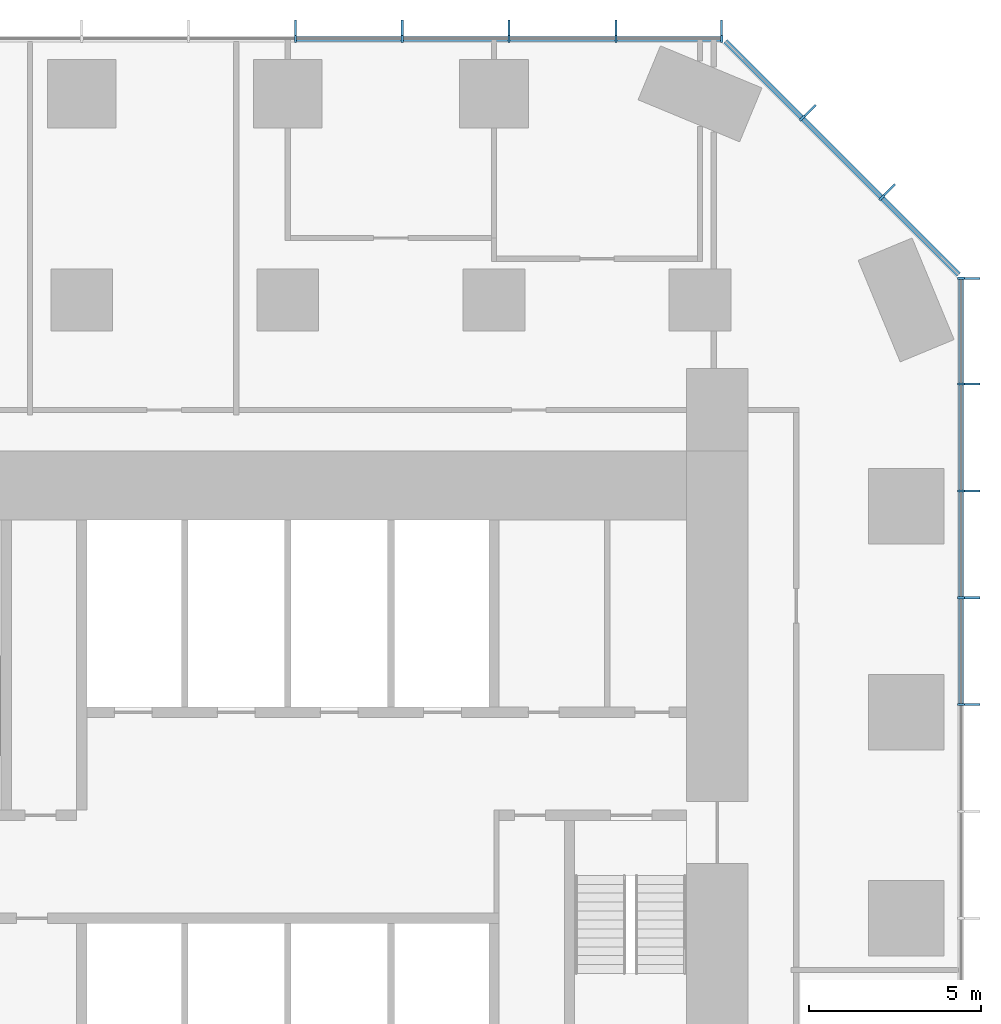
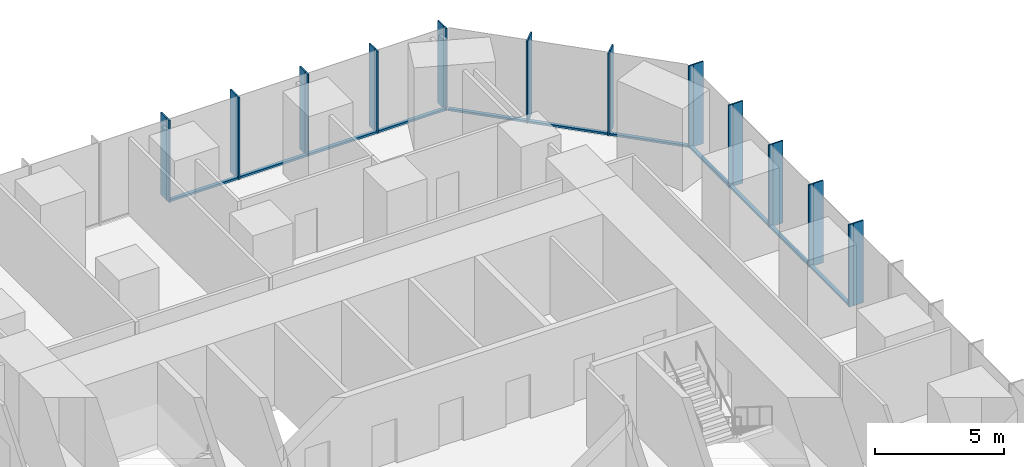
# One storey, part 6 of 12: 35 members, 3 elements without a shape of their own.
"""IFC4 building model written with IfcOpenShell, lengths in metres."""

from ifc_helpers import new_model, si_unit, direction, frame, origin, origin_2d, place, context, subcontext, project, spatial, rectangle, extrude, material, layer, layer_set, material_profile, profile_set, type_object, element, aggregate, save


model = new_model("IFC4")

# Units and contexts
model_context = context("Model", 3, precision=1e-05, world=origin(), true_north=direction((0.0, 1.0)))
body_context = subcontext(model_context, "Body", "Model", "MODEL_VIEW")
ifc_project = project(units=[si_unit("LENGTHUNIT", "METRE"), si_unit("AREAUNIT", "SQUARE_METRE"), si_unit("VOLUMEUNIT", "CUBIC_METRE"), si_unit("PLANEANGLEUNIT", "RADIAN"), si_unit("MASSUNIT", "GRAM", prefix="KILO")], contexts=[model_context])

# Site, building, storey
site_placement = place(None, origin())
site = spatial("IfcSite", under=ifc_project, at=site_placement, CompositionType="ELEMENT")
building_placement = place(site_placement, origin())
building = spatial("IfcBuilding", under=site, at=building_placement, Name="Highveld Stack Headquarters", CompositionType="ELEMENT")
storey_placement = place(building_placement, frame((0.0, 0.0, 26.0)))
storey = spatial("IfcBuildingStorey", under=building, at=storey_placement, Name="L05", CompositionType="ELEMENT", Elevation=26.0)

# Curtain wall, members
ifc_material_1 = material(Name="Aluminium bronze anodised", Category="aluminium")
ifc_layer_1 = layer(ifc_material_1, 0.199951171875)
ifc_layer_set_1 = layer_set([ifc_layer_1], Name="Aluminium bronze anodised")
curtain_wall_type_1 = type_object("IfcCurtainWallType", Name="CW1 TOWER UNITISED CURTAIN WALL", PredefinedType="NOTDEFINED", material=ifc_layer_set_1)
curtain_wall_1_placement = place(storey_placement, origin())
curtain_wall_1 = element("IfcCurtainWall", 1, at=curtain_wall_1_placement, inside=storey, type_object=curtain_wall_type_1, Name="Curtain wall CW1 L05 E", PredefinedType="NOTDEFINED")
ifc_material_2 = material(Name="Aluminium bronze anodised", Category="aluminium")
ifc_material_profile_1 = material_profile(ifc_material_2, rectangle(XDim=0.449951171875, YDim=0.06005859375, at=origin_2d()), Name="FIN 450x60")
ifc_profile_set_1 = profile_set([ifc_material_profile_1], Name="Aluminium bronze anodised")
member_type_1 = type_object("IfcMemberType", Name="CW1 BRONZE FIN 450x60", PredefinedType="USERDEFINED", material=ifc_profile_set_1)
member_1_placement = place(storey_placement, frame((25.925048828125, 6.220947265625, 0.0), z_axis=(0.0, 0.0, 1.0), x_axis=(-1.0, 0.0, 0.0)))
member_1 = element("IfcMember", 2, at=member_1_placement, type_object=member_type_1, Name="CW1 fin L05 9", ObjectType="FIN", PredefinedType="USERDEFINED", context=body_context, shape_type="SweptSolid", body=[
    extrude(rectangle(XDim=0.449951171875, YDim=0.06005859375, at=origin_2d()), origin(), (0.0, 0.0, 1.0), 3.89990234375),
])
member_2_placement = place(storey_placement, frame((25.925048828125, 9.331298828125, 0.0), z_axis=(0.0, 0.0, 1.0), x_axis=(-1.0, 0.0, 0.0)))
member_2 = element("IfcMember", 3, at=member_2_placement, type_object=member_type_1, Name="CW1 fin L05 10", ObjectType="FIN", PredefinedType="USERDEFINED", context=body_context, shape_type="SweptSolid", body=[
    extrude(rectangle(XDim=0.449951171875, YDim=0.06005859375, at=origin_2d()), origin(), (0.0, 0.0, 1.0), 3.89990234375),
])
member_3_placement = place(storey_placement, frame((25.925048828125, 12.44189453125, 0.0), z_axis=(0.0, 0.0, 1.0), x_axis=(-1.0, 0.0, 0.0)))
member_3 = element("IfcMember", 4, at=member_3_placement, type_object=member_type_1, Name="CW1 fin L05 11", ObjectType="FIN", PredefinedType="USERDEFINED", context=body_context, shape_type="SweptSolid", body=[
    extrude(rectangle(XDim=0.449951171875, YDim=0.06005859375, at=origin_2d()), origin(), (0.0, 0.0, 1.0), 3.89990234375),
])
member_4_placement = place(storey_placement, frame((25.925048828125, 15.55224609375, 0.0), z_axis=(0.0, 0.0, 1.0), x_axis=(-1.0, 0.0, 0.0)))
member_4 = element("IfcMember", 5, at=member_4_placement, type_object=member_type_1, Name="CW1 fin L05 12", ObjectType="FIN", PredefinedType="USERDEFINED", context=body_context, shape_type="SweptSolid", body=[
    extrude(rectangle(XDim=0.449951171875, YDim=0.06005859375, at=origin_2d()), origin(), (0.0, 0.0, 1.0), 3.89990234375),
])
member_5_placement = place(storey_placement, frame((25.925048828125, 18.630126953125, 0.0), z_axis=(0.0, 0.0, 1.0), x_axis=(-1.0, 0.0, 0.0)))
member_5 = element("IfcMember", 6, at=member_5_placement, type_object=member_type_1, Name="CW1 fin L05 13", ObjectType="FIN", PredefinedType="USERDEFINED", context=body_context, shape_type="SweptSolid", body=[
    extrude(rectangle(XDim=0.449951171875, YDim=0.06005859375, at=origin_2d()), origin(), (0.0, 0.0, 1.0), 3.89990234375),
])

curtain_wall_2_placement = place(storey_placement, origin())
curtain_wall_2 = element("IfcCurtainWall", 7, at=curtain_wall_2_placement, inside=storey, type_object=curtain_wall_type_1, Name="Curtain wall CW1 L05 N", PredefinedType="NOTDEFINED")
member_6_placement = place(storey_placement, frame((18.630126953125, 25.925048828125, 0.0), z_axis=(0.0, 0.0, 1.0), x_axis=(0.0, -1.0, 0.0)))
member_6 = element("IfcMember", 8, at=member_6_placement, type_object=member_type_1, Name="CW1 fin L05 1", ObjectType="FIN", PredefinedType="USERDEFINED", context=body_context, shape_type="SweptSolid", body=[
    extrude(rectangle(XDim=0.449951171875, YDim=0.06005859375, at=origin_2d()), origin(), (0.0, 0.0, 1.0), 3.89990234375),
])
member_7_placement = place(storey_placement, frame((15.55224609375, 25.925048828125, 0.0), z_axis=(0.0, 0.0, 1.0), x_axis=(0.0, -1.0, 0.0)))
member_7 = element("IfcMember", 9, at=member_7_placement, type_object=member_type_1, Name="CW1 fin L05 2", ObjectType="FIN", PredefinedType="USERDEFINED", context=body_context, shape_type="SweptSolid", body=[
    extrude(rectangle(XDim=0.449951171875, YDim=0.06005859375, at=origin_2d()), origin(), (0.0, 0.0, 1.0), 3.89990234375),
])
member_8_placement = place(storey_placement, frame((12.44189453125, 25.925048828125, 0.0), z_axis=(0.0, 0.0, 1.0), x_axis=(0.0, -1.0, 0.0)))
member_8 = element("IfcMember", 10, at=member_8_placement, type_object=member_type_1, Name="CW1 fin L05 3", ObjectType="FIN", PredefinedType="USERDEFINED", context=body_context, shape_type="SweptSolid", body=[
    extrude(rectangle(XDim=0.449951171875, YDim=0.06005859375, at=origin_2d()), origin(), (0.0, 0.0, 1.0), 3.89990234375),
])
member_9_placement = place(storey_placement, frame((9.331298828125, 25.925048828125, 0.0), z_axis=(0.0, 0.0, 1.0), x_axis=(0.0, -1.0, 0.0)))
member_9 = element("IfcMember", 11, at=member_9_placement, type_object=member_type_1, Name="CW1 fin L05 4", ObjectType="FIN", PredefinedType="USERDEFINED", context=body_context, shape_type="SweptSolid", body=[
    extrude(rectangle(XDim=0.449951171875, YDim=0.06005859375, at=origin_2d()), origin(), (0.0, 0.0, 1.0), 3.89990234375),
])
member_10_placement = place(storey_placement, frame((6.220947265625, 25.925048828125, 0.0), z_axis=(0.0, 0.0, 1.0), x_axis=(0.0, -1.0, 0.0)))
member_10 = element("IfcMember", 12, at=member_10_placement, type_object=member_type_1, Name="CW1 fin L05 5", ObjectType="FIN", PredefinedType="USERDEFINED", context=body_context, shape_type="SweptSolid", body=[
    extrude(rectangle(XDim=0.449951171875, YDim=0.06005859375, at=origin_2d()), origin(), (0.0, 0.0, 1.0), 3.89990234375),
])

# Member
ifc_material_3 = material(Name="Aluminium bronze anodised", Category="aluminium")
ifc_material_profile_2 = material_profile(ifc_material_3, rectangle(XDim=0.199951171875, YDim=0.06494140625, at=origin_2d()), Name="CW1 MULLION 65x200")
ifc_profile_set_2 = profile_set([ifc_material_profile_2], Name="Aluminium bronze anodised")
member_type_2 = type_object("IfcMemberType", Name="CW1 MULLION 65x200", PredefinedType="MULLION", material=ifc_profile_set_2)
member_11_placement = place(storey_placement, frame((25.60009765625, 6.220947265625, 0.0), z_axis=(0.0, 0.0, 1.0), x_axis=(-1.0, 0.0, 0.0)))
member_11 = element("IfcMember", 13, at=member_11_placement, type_object=member_type_2, Name="CW1 mullion L05 9", PredefinedType="MULLION", context=body_context, shape_type="SweptSolid", body=[
    extrude(rectangle(XDim=0.199951171875, YDim=0.06494140625, at=origin_2d()), origin(), (0.0, 0.0, 1.0), 3.89990234375),
])

member_12_placement = place(storey_placement, frame((25.60009765625, 9.331298828125, 0.0), z_axis=(0.0, 0.0, 1.0), x_axis=(-1.0, 0.0, 0.0)))
member_12 = element("IfcMember", 14, at=member_12_placement, type_object=member_type_2, Name="CW1 mullion L05 10", PredefinedType="MULLION", context=body_context, shape_type="SweptSolid", body=[
    extrude(rectangle(XDim=0.199951171875, YDim=0.06494140625, at=origin_2d()), origin(), (0.0, 0.0, 1.0), 3.89990234375),
])

member_13_placement = place(storey_placement, frame((25.60009765625, 12.44189453125, 0.0), z_axis=(0.0, 0.0, 1.0), x_axis=(-1.0, 0.0, 0.0)))
member_13 = element("IfcMember", 15, at=member_13_placement, type_object=member_type_2, Name="CW1 mullion L05 11", PredefinedType="MULLION", context=body_context, shape_type="SweptSolid", body=[
    extrude(rectangle(XDim=0.199951171875, YDim=0.06494140625, at=origin_2d()), origin(), (0.0, 0.0, 1.0), 3.89990234375),
])

member_14_placement = place(storey_placement, frame((25.60009765625, 15.55224609375, 0.0), z_axis=(0.0, 0.0, 1.0), x_axis=(-1.0, 0.0, 0.0)))
member_14 = element("IfcMember", 16, at=member_14_placement, type_object=member_type_2, Name="CW1 mullion L05 12", PredefinedType="MULLION", context=body_context, shape_type="SweptSolid", body=[
    extrude(rectangle(XDim=0.199951171875, YDim=0.06494140625, at=origin_2d()), origin(), (0.0, 0.0, 1.0), 3.89990234375),
])

member_15_placement = place(storey_placement, frame((25.60009765625, 18.630126953125, 0.0), z_axis=(0.0, 0.0, 1.0), x_axis=(-1.0, 0.0, 0.0)))
member_15 = element("IfcMember", 17, at=member_15_placement, type_object=member_type_2, Name="CW1 mullion L05 13", PredefinedType="MULLION", context=body_context, shape_type="SweptSolid", body=[
    extrude(rectangle(XDim=0.199951171875, YDim=0.06494140625, at=origin_2d()), origin(), (0.0, 0.0, 1.0), 3.89990234375),
])

member_16_placement = place(storey_placement, frame((18.630126953125, 25.60009765625, 0.0), z_axis=(0.0, 0.0, 1.0), x_axis=(0.0, -1.0, 0.0)))
member_16 = element("IfcMember", 18, at=member_16_placement, type_object=member_type_2, Name="CW1 mullion L05 1", PredefinedType="MULLION", context=body_context, shape_type="SweptSolid", body=[
    extrude(rectangle(XDim=0.199951171875, YDim=0.06494140625, at=origin_2d()), origin(), (0.0, 0.0, 1.0), 3.89990234375),
])

member_17_placement = place(storey_placement, frame((15.55224609375, 25.60009765625, 0.0), z_axis=(0.0, 0.0, 1.0), x_axis=(0.0, -1.0, 0.0)))
member_17 = element("IfcMember", 19, at=member_17_placement, type_object=member_type_2, Name="CW1 mullion L05 2", PredefinedType="MULLION", context=body_context, shape_type="SweptSolid", body=[
    extrude(rectangle(XDim=0.199951171875, YDim=0.06494140625, at=origin_2d()), origin(), (0.0, 0.0, 1.0), 3.89990234375),
])

member_18_placement = place(storey_placement, frame((12.44189453125, 25.60009765625, 0.0), z_axis=(0.0, 0.0, 1.0), x_axis=(0.0, -1.0, 0.0)))
member_18 = element("IfcMember", 20, at=member_18_placement, type_object=member_type_2, Name="CW1 mullion L05 3", PredefinedType="MULLION", context=body_context, shape_type="SweptSolid", body=[
    extrude(rectangle(XDim=0.199951171875, YDim=0.06494140625, at=origin_2d()), origin(), (0.0, 0.0, 1.0), 3.89990234375),
])

member_19_placement = place(storey_placement, frame((9.331298828125, 25.60009765625, 0.0), z_axis=(0.0, 0.0, 1.0), x_axis=(0.0, -1.0, 0.0)))
member_19 = element("IfcMember", 21, at=member_19_placement, type_object=member_type_2, Name="CW1 mullion L05 4", PredefinedType="MULLION", context=body_context, shape_type="SweptSolid", body=[
    extrude(rectangle(XDim=0.199951171875, YDim=0.06494140625, at=origin_2d()), origin(), (0.0, 0.0, 1.0), 3.89990234375),
])

member_20_placement = place(storey_placement, frame((6.220947265625, 25.60009765625, 0.0), z_axis=(0.0, 0.0, 1.0), x_axis=(0.0, -1.0, 0.0)))
member_20 = element("IfcMember", 22, at=member_20_placement, type_object=member_type_2, Name="CW1 mullion L05 5", PredefinedType="MULLION", context=body_context, shape_type="SweptSolid", body=[
    extrude(rectangle(XDim=0.199951171875, YDim=0.06494140625, at=origin_2d()), origin(), (0.0, 0.0, 1.0), 3.89990234375),
])

ifc_material_4 = material(Name="Aluminium bronze anodised", Category="aluminium")
ifc_material_profile_3 = material_profile(ifc_material_4, rectangle(XDim=0.14990234375, YDim=0.10009765625, at=origin_2d()), Name="CW1 TRANSOM 150x100")
ifc_profile_set_3 = profile_set([ifc_material_profile_3], Name="Aluminium bronze anodised")
member_type_3 = type_object("IfcMemberType", Name="CW1 STACK TRANSOM 150x100", PredefinedType="USERDEFINED", material=ifc_profile_set_3)
member_21_placement = place(storey_placement, frame((25.60009765625, 6.25341796875, 0.050048828125), z_axis=(0.0, 1.0, 0.0), x_axis=(-1.0, 0.0, 0.0)))
member_21 = element("IfcMember", 23, at=member_21_placement, type_object=member_type_3, Name="CW1 transom L05 9.1", ObjectType="TRANSOM", PredefinedType="USERDEFINED", context=body_context, shape_type="SweptSolid", body=[
    extrude(rectangle(XDim=0.14990234375, YDim=0.10009765625, at=origin_2d()), origin(), (0.0, 0.0, 1.0), 3.04541015625),
])

member_22_placement = place(storey_placement, frame((25.60009765625, 9.36376953125, 0.050048828125), z_axis=(0.0, 1.0, 0.0), x_axis=(-1.0, 0.0, 0.0)))
member_22 = element("IfcMember", 24, at=member_22_placement, type_object=member_type_3, Name="CW1 transom L05 10.1", ObjectType="TRANSOM", PredefinedType="USERDEFINED", context=body_context, shape_type="SweptSolid", body=[
    extrude(rectangle(XDim=0.14990234375, YDim=0.10009765625, at=origin_2d()), origin(), (0.0, 0.0, 1.0), 3.04541015625),
])

member_23_placement = place(storey_placement, frame((25.60009765625, 12.474365234375, 0.050048828125), z_axis=(0.0, 1.0, 0.0), x_axis=(-1.0, 0.0, 0.0)))
member_23 = element("IfcMember", 25, at=member_23_placement, type_object=member_type_3, Name="CW1 transom L05 11.1", ObjectType="TRANSOM", PredefinedType="USERDEFINED", context=body_context, shape_type="SweptSolid", body=[
    extrude(rectangle(XDim=0.14990234375, YDim=0.10009765625, at=origin_2d()), origin(), (0.0, 0.0, 1.0), 3.04541015625),
])

member_24_placement = place(storey_placement, frame((25.60009765625, 15.584716796875, 0.050048828125), z_axis=(0.0, 1.0, 0.0), x_axis=(-1.0, 0.0, 0.0)))
member_24 = element("IfcMember", 26, at=member_24_placement, type_object=member_type_3, Name="CW1 transom L05 12.1", ObjectType="TRANSOM", PredefinedType="USERDEFINED", context=body_context, shape_type="SweptSolid", body=[
    extrude(rectangle(XDim=0.14990234375, YDim=0.10009765625, at=origin_2d()), origin(), (0.0, 0.0, 1.0), 3.012939453125),
])

aggregate(curtain_wall_1, [member_11, member_1, member_12, member_2, member_13, member_3, member_14, member_4, member_15, member_5, member_21, member_22, member_23, member_24])

member_25_placement = place(storey_placement, frame((18.59765625, 25.60009765625, 0.050048828125), z_axis=(-1.0, 0.0, 0.0), x_axis=(0.0, -1.0, 0.0)))
member_25 = element("IfcMember", 27, at=member_25_placement, type_object=member_type_3, Name="CW1 transom L05 1.1", ObjectType="TRANSOM", PredefinedType="USERDEFINED", context=body_context, shape_type="SweptSolid", body=[
    extrude(rectangle(XDim=0.14990234375, YDim=0.10009765625, at=origin_2d()), origin(), (0.0, 0.0, 1.0), 3.012939453125),
])

member_26_placement = place(storey_placement, frame((15.519775390625, 25.60009765625, 0.050048828125), z_axis=(-1.0, 0.0, 0.0), x_axis=(0.0, -1.0, 0.0)))
member_26 = element("IfcMember", 28, at=member_26_placement, type_object=member_type_3, Name="CW1 transom L05 2.1", ObjectType="TRANSOM", PredefinedType="USERDEFINED", context=body_context, shape_type="SweptSolid", body=[
    extrude(rectangle(XDim=0.14990234375, YDim=0.10009765625, at=origin_2d()), origin(), (0.0, 0.0, 1.0), 3.04541015625),
])

member_27_placement = place(storey_placement, frame((12.4091796875, 25.60009765625, 0.050048828125), z_axis=(-1.0, 0.0, 0.0), x_axis=(0.0, -1.0, 0.0)))
member_27 = element("IfcMember", 29, at=member_27_placement, type_object=member_type_3, Name="CW1 transom L05 3.1", ObjectType="TRANSOM", PredefinedType="USERDEFINED", context=body_context, shape_type="SweptSolid", body=[
    extrude(rectangle(XDim=0.14990234375, YDim=0.10009765625, at=origin_2d()), origin(), (0.0, 0.0, 1.0), 3.045166015625),
])

member_28_placement = place(storey_placement, frame((9.298828125, 25.60009765625, 0.050048828125), z_axis=(-1.0, 0.0, 0.0), x_axis=(0.0, -1.0, 0.0)))
member_28 = element("IfcMember", 30, at=member_28_placement, type_object=member_type_3, Name="CW1 transom L05 4.1", ObjectType="TRANSOM", PredefinedType="USERDEFINED", context=body_context, shape_type="SweptSolid", body=[
    extrude(rectangle(XDim=0.14990234375, YDim=0.10009765625, at=origin_2d()), origin(), (0.0, 0.0, 1.0), 3.04541015625),
])

aggregate(curtain_wall_2, [member_16, member_6, member_17, member_7, member_18, member_8, member_19, member_9, member_20, member_10, member_25, member_26, member_27, member_28])

# Curtain wall, members
ifc_material_5 = material(Name="Aluminium bronze anodised", Category="aluminium")
ifc_layer_2 = layer(ifc_material_5, 0.199951171875)
ifc_layer_set_2 = layer_set([ifc_layer_2], Name="Aluminium bronze anodised")
curtain_wall_type_2 = type_object("IfcCurtainWallType", Name="CW2 TOWER CHAMFER UNITISED CURTAIN WALL", PredefinedType="NOTDEFINED", material=ifc_layer_set_2)
curtain_wall_3_placement = place(storey_placement, origin())
curtain_wall_3 = element("IfcCurtainWall", 31, at=curtain_wall_3_placement, inside=storey, type_object=curtain_wall_type_2, Name="Curtain wall CW2 L05 NE", PredefinedType="NOTDEFINED")
ifc_material_6 = material(Name="Aluminium bronze anodised", Category="aluminium")
ifc_material_profile_4 = material_profile(ifc_material_6, rectangle(XDim=0.449951171875, YDim=0.06005859375, at=origin_2d()), Name="FIN 450x60")
ifc_profile_set_4 = profile_set([ifc_material_profile_4], Name="Aluminium bronze anodised")
member_type_4 = type_object("IfcMemberType", Name="CW2 BRONZE FIN 450x60", PredefinedType="USERDEFINED", material=ifc_profile_set_4)
member_29_placement = place(storey_placement, frame((23.517333984375, 21.204833984375, 0.0), z_axis=(0.0, 0.0, 1.0), x_axis=(-0.707106781187, -0.707106781187, 0.0)))
member_29 = element("IfcMember", 32, at=member_29_placement, type_object=member_type_4, Name="CW2 fin L05 1", ObjectType="FIN", PredefinedType="USERDEFINED", context=body_context, shape_type="SweptSolid", body=[
    extrude(rectangle(XDim=0.449951171875, YDim=0.06005859375, at=origin_2d()), origin(), (0.0, 0.0, 1.0), 3.89990234375),
])
member_30_placement = place(storey_placement, frame((21.204833984375, 23.517333984375, 0.0), z_axis=(0.0, 0.0, 1.0), x_axis=(-0.707106781187, -0.707106781187, 0.0)))
member_30 = element("IfcMember", 33, at=member_30_placement, type_object=member_type_4, Name="CW2 fin L05 2", ObjectType="FIN", PredefinedType="USERDEFINED", context=body_context, shape_type="SweptSolid", body=[
    extrude(rectangle(XDim=0.449951171875, YDim=0.06005859375, at=origin_2d()), origin(), (0.0, 0.0, 1.0), 3.89990234375),
])
ifc_material_7 = material(Name="Aluminium bronze anodised", Category="aluminium")
ifc_material_profile_5 = material_profile(ifc_material_7, rectangle(XDim=0.199951171875, YDim=0.06494140625, at=origin_2d()), Name="CW2 MULLION 65x200")
ifc_profile_set_5 = profile_set([ifc_material_profile_5], Name="Aluminium bronze anodised")
member_type_5 = type_object("IfcMemberType", Name="CW2 MULLION 65x200", PredefinedType="MULLION", material=ifc_profile_set_5)
member_31_placement = place(storey_placement, frame((23.28759765625, 20.97509765625, 0.0), z_axis=(0.0, 0.0, 1.0), x_axis=(-0.707106781187, -0.707106781187, 0.0)))
member_31 = element("IfcMember", 34, at=member_31_placement, type_object=member_type_5, Name="CW2 mullion L05 1", PredefinedType="MULLION", context=body_context, shape_type="SweptSolid", body=[
    extrude(rectangle(XDim=0.199951171875, YDim=0.06494140625, at=origin_2d()), origin(), (0.0, 0.0, 1.0), 3.89990234375),
])
member_32_placement = place(storey_placement, frame((20.97509765625, 23.28759765625, 0.0), z_axis=(0.0, 0.0, 1.0), x_axis=(-0.707106781187, -0.707106781187, 0.0)))
member_32 = element("IfcMember", 35, at=member_32_placement, type_object=member_type_5, Name="CW2 mullion L05 2", PredefinedType="MULLION", context=body_context, shape_type="SweptSolid", body=[
    extrude(rectangle(XDim=0.199951171875, YDim=0.06494140625, at=origin_2d()), origin(), (0.0, 0.0, 1.0), 3.89990234375),
])
ifc_material_8 = material(Name="Aluminium bronze anodised", Category="aluminium")
ifc_material_profile_6 = material_profile(ifc_material_8, rectangle(XDim=0.14990234375, YDim=0.10009765625, at=origin_2d()), Name="CW2 TRANSOM 150x100")
ifc_profile_set_6 = profile_set([ifc_material_profile_6], Name="Aluminium bronze anodised")
member_type_6 = type_object("IfcMemberType", Name="CW2 STACK TRANSOM 150x100", PredefinedType="USERDEFINED", material=ifc_profile_set_6)
member_33_placement = place(storey_placement, frame((25.529296875, 18.7333984375, 0.050048828125), z_axis=(-0.707106781187, 0.707106781187, 0.0), x_axis=(-0.707106781187, -0.707106781187, 0.0)))
member_33 = element("IfcMember", 36, at=member_33_placement, type_object=member_type_6, Name="CW2 transom L05 1.1", ObjectType="TRANSOM", PredefinedType="USERDEFINED", context=body_context, shape_type="SweptSolid", body=[
    extrude(rectangle(XDim=0.14990234375, YDim=0.10009765625, at=origin_2d()), origin(), (0.0, 0.0, 1.0), 3.1376953125),
])
member_34_placement = place(storey_placement, frame((23.2646484375, 20.998046875, 0.050048828125), z_axis=(-0.707106781187, 0.707106781187, 0.0), x_axis=(-0.707106781187, -0.707106781187, 0.0)))
member_34 = element("IfcMember", 37, at=member_34_placement, type_object=member_type_6, Name="CW2 transom L05 2.1", ObjectType="TRANSOM", PredefinedType="USERDEFINED", context=body_context, shape_type="SweptSolid", body=[
    extrude(rectangle(XDim=0.14990234375, YDim=0.10009765625, at=origin_2d()), origin(), (0.0, 0.0, 1.0), 3.20556640625),
])
member_35_placement = place(storey_placement, frame((20.9521484375, 23.310546875, 0.050048828125), z_axis=(-0.707106781187, 0.707106781187, 0.0), x_axis=(-0.707106781187, -0.707106781187, 0.0)))
member_35 = element("IfcMember", 38, at=member_35_placement, type_object=member_type_6, Name="CW2 transom L05 3.1", ObjectType="TRANSOM", PredefinedType="USERDEFINED", context=body_context, shape_type="SweptSolid", body=[
    extrude(rectangle(XDim=0.14990234375, YDim=0.10009765625, at=origin_2d()), origin(), (0.0, 0.0, 1.0), 3.1376953125),
])
aggregate(curtain_wall_3, [member_31, member_29, member_32, member_30, member_33, member_34, member_35])

save(model, "model.ifc")
